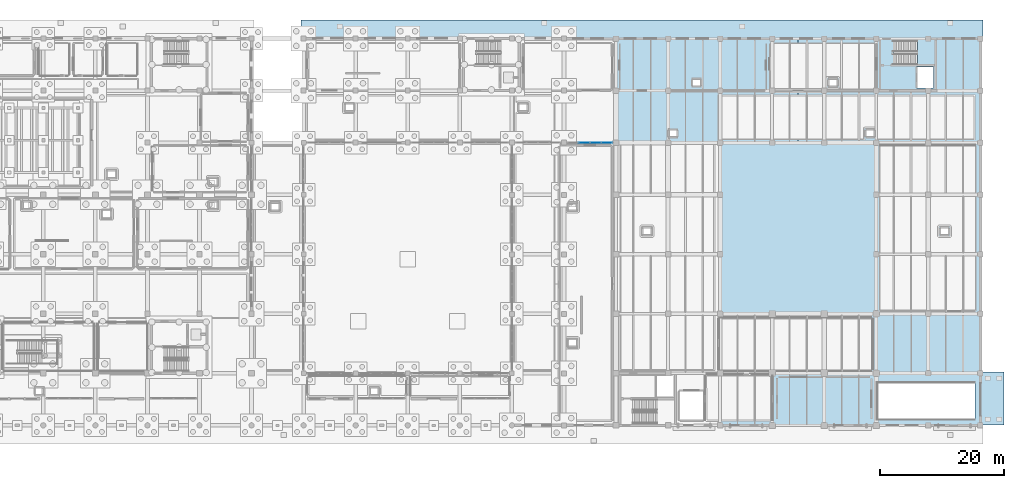
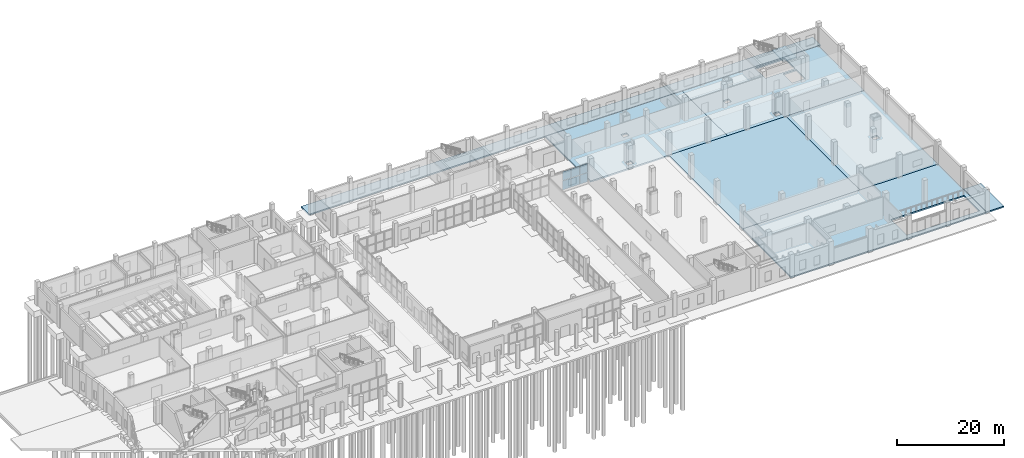
# One storey, part 36 of 65: 8 slabs, 6 plates, 2 elements without a shape of their own.
"""IFC4 building model written with IfcOpenShell, lengths in metres."""

from ifc_helpers import new_model, si_unit, direction, frame, origin, origin_2d, place, context, subcontext, project, spatial, polyline, rectangle, outline, extrude, material, layer, layer_set, type_object, element, aggregate, save


model = new_model("IFC4")

# Units and contexts
model_context = context("Model", 3, precision=1e-05, world=origin(), true_north=direction((0.0, 1.0)))
body_context = subcontext(model_context, "Body", "Model", "MODEL_VIEW")
ifc_project = project(units=[si_unit("LENGTHUNIT", "METRE"), si_unit("AREAUNIT", "SQUARE_METRE"), si_unit("VOLUMEUNIT", "CUBIC_METRE"), si_unit("PLANEANGLEUNIT", "RADIAN"), si_unit("MASSUNIT", "GRAM", prefix="KILO")], contexts=[model_context])

# Site, building, storey
site_placement = place(None, origin())
site = spatial("IfcSite", under=ifc_project, at=site_placement, CompositionType="ELEMENT")
building_placement = place(site_placement, origin())
building = spatial("IfcBuilding", under=site, at=building_placement, Name="Zulmaris Art Gallery", CompositionType="ELEMENT")
storey_placement = place(building_placement, origin())
storey = spatial("IfcBuildingStorey", under=building, at=storey_placement, Name="L00", CompositionType="ELEMENT", Elevation=0.0)

# Curtain wall, plates
ifc_material_1 = material(Name="Unitised Low-E Gallery Curtain Wall", Category="aluminium")
ifc_layer_1 = layer(ifc_material_1, 0.179931640625)
ifc_layer_set_1 = layer_set([ifc_layer_1], Name="Unitised Low-E Gallery Curtain Wall")
curtain_wall_type = type_object("IfcCurtainWallType", Name="CW-CW01", PredefinedType="NOTDEFINED", material=ifc_layer_set_1)
curtain_wall_placement = place(storey_placement, origin())
curtain_wall = element("IfcCurtainWall", 1, at=curtain_wall_placement, inside=storey, type_object=curtain_wall_type, Name="L00 curtain wall 89", PredefinedType="NOTDEFINED")
ifc_material_2 = material(Name="Triple Solar-Control Laminated Glass", Category="glass")
ifc_layer_2 = layer(ifc_material_2, 0.035888671875)
ifc_layer_set_2 = layer_set([ifc_layer_2], Name="Triple Solar-Control Laminated Glass")
plate_type = type_object("IfcPlateType", Name="CWPAN-GLZ", PredefinedType="CURTAIN_PANEL", material=ifc_layer_set_2)
plate_1_placement = place(storey_placement, frame((136.485107421875, 58.800048828125, 0.0751953125), z_axis=(0.0, 0.0, 1.0), x_axis=(1.0, 0.0, 0.0)))
plate_1 = element("IfcPlate", 2, at=plate_1_placement, type_object=plate_type, Name="CW01 panel 2.1", PredefinedType="CURTAIN_PANEL", context=body_context, shape_type="SweptSolid", body=[
    extrude(rectangle(XDim=1.7548828125, YDim=0.031982421875, at=origin_2d()), origin(), (0.0, 0.0, 1.0), 2.032470703125),
])
plate_2_placement = place(storey_placement, frame((136.485107421875, 58.800048828125, 2.1826171875), z_axis=(0.0, 0.0, 1.0), x_axis=(1.0, 0.0, 0.0)))
plate_2 = element("IfcPlate", 3, at=plate_2_placement, type_object=plate_type, Name="CW01 panel 2.2", PredefinedType="CURTAIN_PANEL", context=body_context, shape_type="SweptSolid", body=[
    extrude(rectangle(XDim=1.7548828125, YDim=0.031982421875, at=origin_2d()), origin(), (0.0, 0.0, 1.0), 2.032470703125),
])
plate_3_placement = place(storey_placement, frame((138.31494140625, 58.800048828125, 0.0751953125), z_axis=(0.0, 0.0, 1.0), x_axis=(1.0, 0.0, 0.0)))
plate_3 = element("IfcPlate", 4, at=plate_3_placement, type_object=plate_type, Name="CW01 panel 3.1", PredefinedType="CURTAIN_PANEL", context=body_context, shape_type="SweptSolid", body=[
    extrude(rectangle(XDim=1.7548828125, YDim=0.031982421875, at=origin_2d()), origin(), (0.0, 0.0, 1.0), 2.032470703125),
])
plate_4_placement = place(storey_placement, frame((138.31494140625, 58.800048828125, 2.1826171875), z_axis=(0.0, 0.0, 1.0), x_axis=(1.0, 0.0, 0.0)))
plate_4 = element("IfcPlate", 5, at=plate_4_placement, type_object=plate_type, Name="CW01 panel 3.2", PredefinedType="CURTAIN_PANEL", context=body_context, shape_type="SweptSolid", body=[
    extrude(rectangle(XDim=1.7548828125, YDim=0.031982421875, at=origin_2d()), origin(), (0.0, 0.0, 1.0), 2.032470703125),
])
plate_5_placement = place(storey_placement, frame((140.126220703125, 58.800048828125, 0.0751953125), z_axis=(0.0, 0.0, 1.0), x_axis=(1.0, 0.0, 0.0)))
plate_5 = element("IfcPlate", 6, at=plate_5_placement, type_object=plate_type, Name="CW01 panel 4.1", PredefinedType="CURTAIN_PANEL", context=body_context, shape_type="SweptSolid", body=[
    extrude(rectangle(XDim=1.717529296875, YDim=0.031982421875, at=origin_2d()), origin(), (0.0, 0.0, 1.0), 2.032470703125),
])
plate_6_placement = place(storey_placement, frame((140.126220703125, 58.800048828125, 2.1826171875), z_axis=(0.0, 0.0, 1.0), x_axis=(1.0, 0.0, 0.0)))
plate_6 = element("IfcPlate", 7, at=plate_6_placement, type_object=plate_type, Name="CW01 panel 4.2", PredefinedType="CURTAIN_PANEL", context=body_context, shape_type="SweptSolid", body=[
    extrude(rectangle(XDim=1.717529296875, YDim=0.031982421875, at=origin_2d()), origin(), (0.0, 0.0, 1.0), 2.032470703125),
])
aggregate(curtain_wall, [plate_1, plate_2, plate_3, plate_4, plate_5, plate_6])

# Slabs
ifc_material_3 = material(Name="Concrete C40/50", Category="concrete")
ifc_layer_3 = layer(ifc_material_3, 0.300048828125)
ifc_layer_set_3 = layer_set([ifc_layer_3], Name="Concrete C40/50")
slab_type_1 = type_object("IfcSlabType", Name="SLAB-SL-CAN01", PredefinedType="FLOOR", material=ifc_layer_set_3)
slab_1_placement = place(storey_placement, frame((0.0, 0.0, -0.300048828125)))
element("IfcSlab", 8, at=slab_1_placement, inside=storey, type_object=slab_type_1, Name="L00 Exterior Paved Court/Apron APR-EAST-RAMP", PredefinedType="FLOOR", context=body_context, shape_type="SweptSolid", body=[
    extrude(outline(polyline([(200.449951171875, 13.25), (204.199951171875, 13.25), (204.199951171875, 21.800048828125), (200.449951171875, 21.800048828125), (200.449951171875, 13.25)])), origin(), (0.0, 0.0, 1.0), 0.300048828125),
])
slab_2_placement = place(storey_placement, frame((0.0, 0.0, -0.300048828125)))
element("IfcSlab", 9, at=slab_2_placement, inside=storey, type_object=slab_type_1, Name="L00 Exterior Paved Court/Apron APR-NORTH-V45", PredefinedType="FLOOR", context=body_context, shape_type="SweptSolid", body=[
    extrude(outline(polyline([(90.800048828125, 75.64990234375), (200.800048828125, 75.64990234375), (200.800048828125, 78.60009765625), (90.800048828125, 78.60009765625), (90.800048828125, 75.64990234375)])), origin(), (0.0, 0.0, 1.0), 0.300048828125),
])
slab_3_placement = place(storey_placement, frame((0.0, 0.0, -0.300048828125)))
element("IfcSlab", 10, at=slab_3_placement, inside=storey, type_object=slab_type_1, Name="L00 Exterior Paved Court/Apron APR-ARTIST-COURT", PredefinedType="FLOOR", context=body_context, shape_type="SweptSolid", body=[
    extrude(outline(polyline([(158.39990234375, 31.199951171875), (183.60009765625, 31.199951171875), (183.60009765625, 58.800048828125), (158.39990234375, 58.800048828125), (158.39990234375, 31.199951171875)])), origin(), (0.0, 0.0, 1.0), 0.300048828125),
])
ifc_layer_4 = layer(ifc_material_3, 0.330078125)
ifc_layer_set_4 = layer_set([ifc_layer_4], Name="Concrete C40/50")
slab_type_2 = type_object("IfcSlabType", Name="SLAB-SL-FL01", PredefinedType="FLOOR", material=ifc_layer_set_4)
slab_4_placement = place(storey_placement, frame((0.0, 0.0, -0.330078125)))
element("IfcSlab", 11, at=slab_4_placement, inside=storey, type_object=slab_type_2, Name="L00 V5-SE slab", PredefinedType="FLOOR", context=body_context, shape_type="SweptSolid", body=[
    extrude(outline(polyline([(158.39990234375, 13.199951171875), (158.39990234375, 31.199951171875), (183.60009765625, 31.199951171875), (200.39990234375, 31.199951171875), (200.39990234375, 13.199951171875), (158.39990234375, 13.199951171875)]), holes=[polyline([(199.5, 14.199951171875), (199.5, 20.0), (183.800048828125, 20.0), (183.800048828125, 14.199951171875), (199.5, 14.199951171875)])]), origin(), (0.0, 0.0, 1.0), 0.330078125),
])
slab_5_placement = place(storey_placement, frame((0.0, 0.0, -0.330078125)))
element("IfcSlab", 12, at=slab_5_placement, inside=storey, type_object=slab_type_2, Name="L00 V5-E slab", PredefinedType="FLOOR", context=body_context, shape_type="SweptSolid", body=[
    extrude(outline(polyline([(183.60009765625, 31.199951171875), (183.60009765625, 58.800048828125), (200.39990234375, 58.800048828125), (200.39990234375, 31.199951171875), (183.60009765625, 31.199951171875)]), holes=[polyline([(195.199951171875, 44.0), (195.199951171875, 45.0), (194.0, 45.0), (194.0, 44.0), (195.199951171875, 44.0)])]), origin(), (0.0, 0.0, 1.0), 0.330078125),
])
slab_6_placement = place(storey_placement, frame((0.0, 0.0, -0.330078125)))
element("IfcSlab", 13, at=slab_6_placement, inside=storey, type_object=slab_type_2, Name="L00 V5-NW slab", PredefinedType="FLOOR", context=body_context, shape_type="SweptSolid", body=[
    extrude(outline(polyline([(171.0, 75.60009765625), (171.0, 58.800048828125), (158.39990234375, 58.800048828125), (141.60009765625, 58.800048828125), (141.60009765625, 75.60009765625), (171.0, 75.60009765625)]), holes=[polyline([(151.39990234375, 60.800048828125), (150.199951171875, 60.800048828125), (150.199951171875, 59.800048828125), (151.39990234375, 59.800048828125), (151.39990234375, 60.800048828125)]), polyline([(155.199951171875, 68.0), (155.199951171875, 69.0), (154.0, 69.0), (154.0, 68.0), (155.199951171875, 68.0)])]), origin(), (0.0, 0.0, 1.0), 0.330078125),
])
slab_7_placement = place(storey_placement, frame((0.0, 0.0, -0.330078125)))
element("IfcSlab", 14, at=slab_7_placement, inside=storey, type_object=slab_type_2, Name="L00 V5-NE slab", PredefinedType="FLOOR", context=body_context, shape_type="SweptSolid", body=[
    extrude(outline(polyline([(200.39990234375, 58.800048828125), (183.60009765625, 58.800048828125), (171.0, 58.800048828125), (171.0, 75.60009765625), (200.39990234375, 75.60009765625), (200.39990234375, 58.800048828125)]), holes=[polyline([(183.199951171875, 59.800048828125), (183.199951171875, 60.800048828125), (182.0, 60.800048828125), (182.0, 59.800048828125), (183.199951171875, 59.800048828125)]), polyline([(177.199951171875, 69.0), (176.0, 69.0), (176.0, 68.0), (177.199951171875, 68.0), (177.199951171875, 69.0)]), polyline([(192.85009765625, 67.64990234375), (192.85009765625, 70.97998046875), (190.050048828125, 70.97998046875), (190.050048828125, 67.64990234375), (192.85009765625, 67.64990234375)]), polyline([(186.4599609375, 71.409912109375), (192.85009765625, 71.409912109375), (192.85009765625, 75.25), (186.4599609375, 75.25), (186.4599609375, 71.409912109375)])]), origin(), (0.0, 0.0, 1.0), 0.330078125),
])

# Stair, slab
stair_type = type_object("IfcStairType", Name="STAIR-CORE", PredefinedType="HALF_TURN_STAIR", material=ifc_material_3)
stair_placement = place(storey_placement, origin())
stair = element("IfcStair", 15, at=stair_placement, inside=storey, type_object=stair_type, Name="L00 Exit Stair ST4", PredefinedType="HALF_TURN_STAIR")
ifc_layer_5 = layer(ifc_material_3, 0.2099609375)
ifc_layer_set_5 = layer_set([ifc_layer_5], Name="Concrete C40/50")
slab_type_3 = type_object("IfcSlabType", Name="SLAB-STLND", PredefinedType="LANDING", material=ifc_layer_set_5)
slab_8_placement = place(storey_placement, frame((0.0, 0.0, 2.5)))
slab_8 = element("IfcSlab", 16, at=slab_8_placement, type_object=slab_type_3, Name="ST4 landing 1", PredefinedType="LANDING", context=body_context, shape_type="SweptSolid", body=[
    extrude(outline(polyline([(190.219970703125, 71.18994140625), (193.050048828125, 71.18994140625), (193.050048828125, 75.469970703125), (190.219970703125, 75.469970703125), (190.219970703125, 71.18994140625)])), origin(), (0.0, 0.0, 1.0), 0.199951171875),
])
aggregate(stair, [slab_8])

save(model, "model.ifc")
